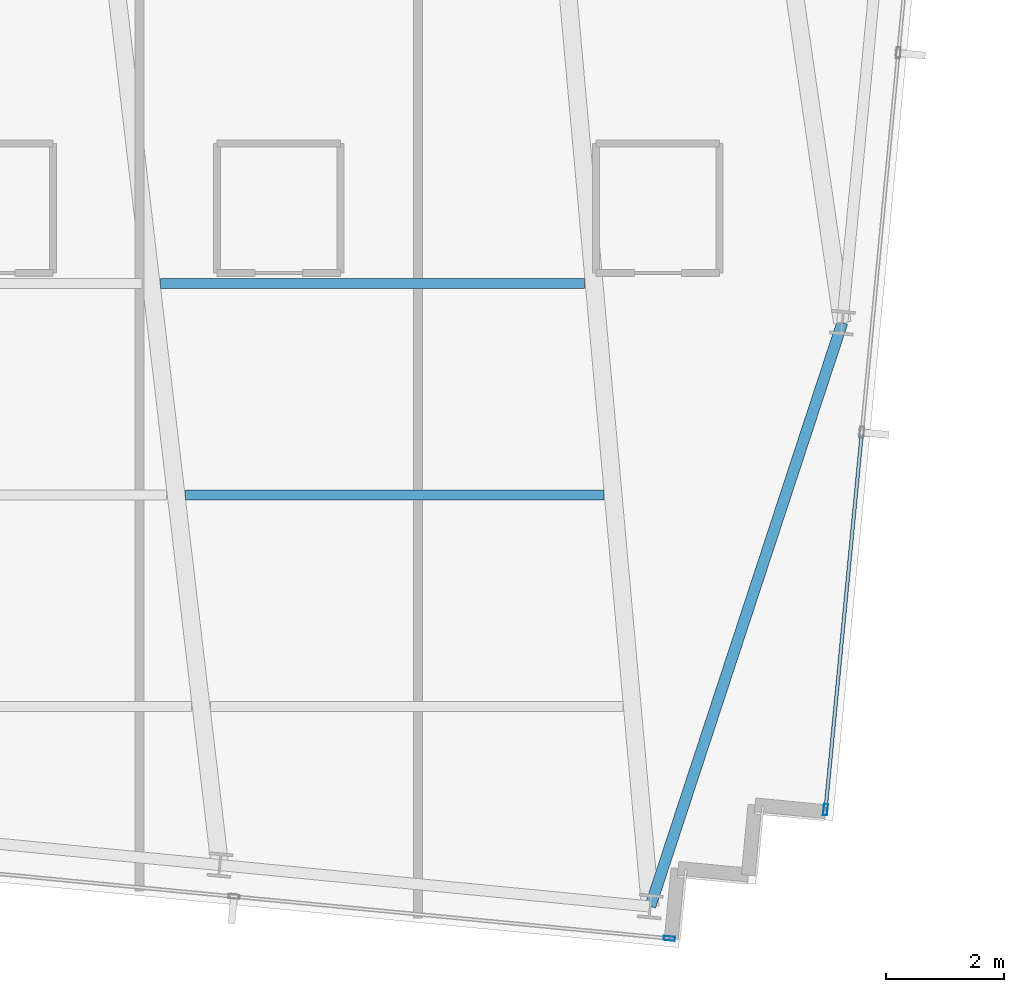
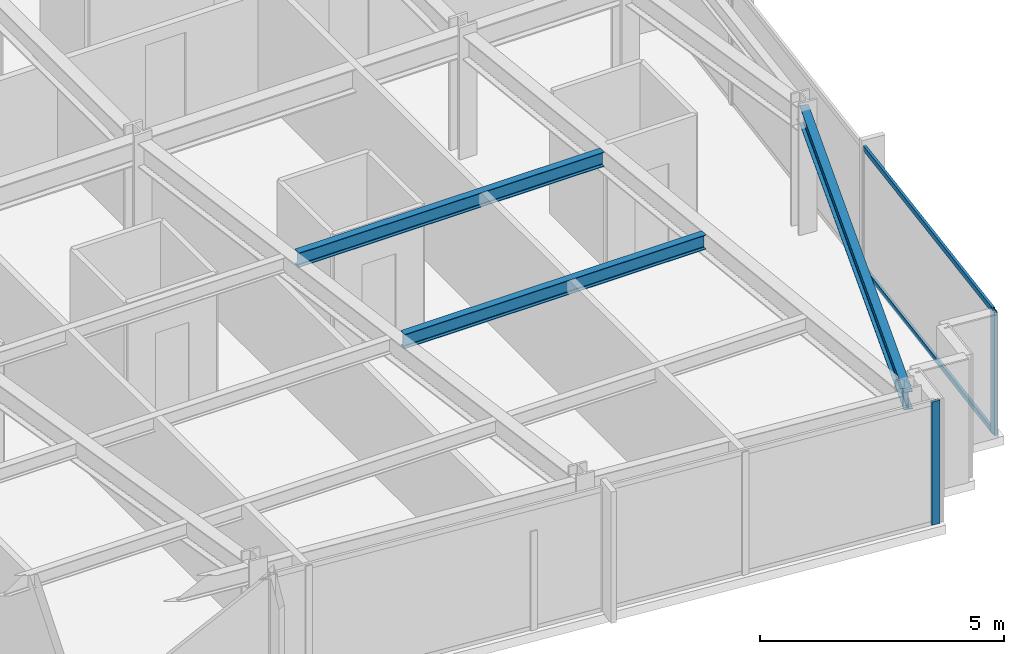
# One storey, part 14 of 38: 4 members, 3 beams, 2 elements without a shape of their own.
"""IFC4 building model written with IfcOpenShell, lengths in metres."""

from ifc_helpers import new_model, si_unit, direction, frame, origin, origin_2d, place, context, subcontext, project, spatial, hollow_rectangle, i_section, extrude, material, material_profile, profile_set, type_object, element, aggregate, save


model = new_model("IFC4")

# Units and contexts
model_context = context("Model", 3, precision=1e-05, world=origin(), true_north=direction((0.0, 1.0)))
body_context = subcontext(model_context, "Body", "Model", "MODEL_VIEW")
ifc_project = project(units=[si_unit("LENGTHUNIT", "METRE"), si_unit("AREAUNIT", "SQUARE_METRE"), si_unit("VOLUMEUNIT", "CUBIC_METRE"), si_unit("PLANEANGLEUNIT", "RADIAN"), si_unit("MASSUNIT", "GRAM", prefix="KILO")], contexts=[model_context])

# Site, building, storey
site_placement = place(None, origin())
site = spatial("IfcSite", under=ifc_project, at=site_placement, CompositionType="ELEMENT")
building_placement = place(site_placement, origin())
building = spatial("IfcBuilding", under=site, at=building_placement, Name="Yelkora Congress Tower", CompositionType="ELEMENT")
storey_placement = place(building_placement, frame((0.0, 0.0, 178.699951171875)))
storey = spatial("IfcBuildingStorey", under=building, at=storey_placement, Name="L49", CompositionType="ELEMENT", Elevation=178.699951171875)

# Beams
ifc_material_1 = material(Name="Steel S355J2", Category="steel")
ifc_material_profile_1 = material_profile(ifc_material_1, i_section(OverallWidth=0.169921875, OverallDepth=0.360107421875, WebThickness=0.008056640625, FlangeThickness=0.0126953125, FilletRadius=0.01806640625, at=origin_2d()), Name="IPE 360")
ifc_profile_set_1 = profile_set([ifc_material_profile_1], Name="Steel S355J2")
beam_type_1 = type_object("IfcBeamType", Name="BM-JOIST-IPE360", PredefinedType="JOIST", material=ifc_profile_set_1)
beam_1_placement = place(storey_placement, frame((47.27587890625, 16.421142578125, 2.900146484375), z_axis=(1.0, 0.0, 0.0), x_axis=(0.0, 1.0, 0.0)))
element("IfcBeam", 1, at=beam_1_placement, inside=storey, type_object=beam_type_1, Name="L49 Composite Floor Joist 11", PredefinedType="JOIST", context=body_context, shape_type="SweptSolid", body=[
    extrude(i_section(OverallWidth=0.169921875, OverallDepth=0.360107421875, WebThickness=0.008056640625, FlangeThickness=0.0126953125, FilletRadius=0.01806640625, at=origin_2d()), origin(), (0.0, 0.0, 1.0), 7.115234375),
])
beam_2_placement = place(storey_placement, frame((46.851318359375, 20.021240234375, 2.900146484375), z_axis=(1.0, 0.0, 0.0), x_axis=(0.0, 1.0, 0.0)))
element("IfcBeam", 2, at=beam_2_placement, inside=storey, type_object=beam_type_1, Name="L49 Composite Floor Joist 18", PredefinedType="JOIST", context=body_context, shape_type="SweptSolid", body=[
    extrude(i_section(OverallWidth=0.169921875, OverallDepth=0.360107421875, WebThickness=0.008056640625, FlangeThickness=0.0126953125, FilletRadius=0.01806640625, at=origin_2d()), origin(), (0.0, 0.0, 1.0), 7.215576171875),
])
ifc_material_profile_2 = material_profile(ifc_material_1, i_section(OverallWidth=0.18994140625, OverallDepth=0.449951171875, WebThickness=0.009521484375, FlangeThickness=0.0146484375, FilletRadius=0.02099609375, at=origin_2d()), Name="IPE 450")
ifc_profile_set_2 = profile_set([ifc_material_profile_2], Name="Steel S355J2")
beam_type_2 = type_object("IfcBeamType", Name="BM-SPAN-IPE450", PredefinedType="SPANDREL", material=ifc_profile_set_2)
beam_3_placement = place(storey_placement, frame((55.18212890625, 9.421142578125, 2.85498046875), z_axis=(0.312456737339, 0.949931990877, 0.0), x_axis=(-0.949931990877, 0.312456737339, 0.0)))
element("IfcBeam", 3, at=beam_3_placement, inside=storey, type_object=beam_type_2, Name="L49 Perimeter Beam 9", PredefinedType="SPANDREL", context=body_context, shape_type="SweptSolid", body=[
    extrude(i_section(OverallWidth=0.18994140625, OverallDepth=0.449951171875, WebThickness=0.009521484375, FlangeThickness=0.0146484375, FilletRadius=0.02099609375, at=origin_2d()), origin(), (0.0, 0.0, 1.0), 10.4560546875),
])

# Curtain wall, member
ifc_material_2 = material(Name="Anodised aluminium and insulated glass", Category="aluminium")
curtain_wall_type = type_object("IfcCurtainWallType", Name="CW-SYS-B3", PredefinedType="NOTDEFINED", material=ifc_material_2)
curtain_wall_1_placement = place(storey_placement, origin())
curtain_wall_1 = element("IfcCurtainWall", 4, at=curtain_wall_1_placement, inside=storey, type_object=curtain_wall_type, Name="L49 Unitised Curtain Wall 15", PredefinedType="NOTDEFINED")
ifc_material_3 = material(Name="Anodised aluminium 6063-T6", Category="aluminium")
ifc_material_profile_3 = material_profile(ifc_material_3, hollow_rectangle(XDim=0.070068359375, YDim=0.18994140625, WallThickness=0.00390625, at=origin_2d()), Name="ALU 70x190x4")
ifc_profile_set_3 = profile_set([ifc_material_profile_3], Name="Anodised aluminium 6063-T6")
member_type_1 = type_object("IfcMemberType", Name="MEM-ML-B3", PredefinedType="MULLION", material=ifc_profile_set_3)
member_1_placement = place(storey_placement, frame((58.163818359375, 11.068115234375, 0.0), z_axis=(0.0, 0.0, 1.0), x_axis=(0.995396565076, -0.095841944023, 0.0)))
member_1 = element("IfcMember", 5, at=member_1_placement, type_object=member_type_1, Name="CW-B3 mullion 6", PredefinedType="MULLION", context=body_context, shape_type="SweptSolid", body=[
    extrude(hollow_rectangle(XDim=0.070068359375, YDim=0.18994140625, WallThickness=0.00390625, at=origin_2d()), origin(), (0.0, 0.0, 1.0), 3.080078125),
])

curtain_wall_2_placement = place(storey_placement, origin())
curtain_wall_2 = element("IfcCurtainWall", 6, at=curtain_wall_2_placement, inside=storey, type_object=curtain_wall_type, Name="L49 Unitised Curtain Wall 20", PredefinedType="NOTDEFINED")
member_2_placement = place(storey_placement, frame((55.506591796875, 8.877685546875, 0.0), z_axis=(0.0, 0.0, 1.0), x_axis=(-0.095844680679, -0.995396301573, 0.0)))
member_2 = element("IfcMember", 7, at=member_2_placement, type_object=member_type_1, Name="CW-B3 mullion 1", PredefinedType="MULLION", context=body_context, shape_type="SweptSolid", body=[
    extrude(hollow_rectangle(XDim=0.070068359375, YDim=0.18994140625, WallThickness=0.00390625, at=origin_2d()), origin(), (0.0, 0.0, 1.0), 3.080078125),
])
aggregate(curtain_wall_2, [member_2])

# Member
ifc_material_profile_4 = material_profile(ifc_material_3, hollow_rectangle(XDim=0.06005859375, YDim=0.1298828125, WallThickness=0.00390625, at=origin_2d()), Name="ALU 60x130x4")
ifc_profile_set_4 = profile_set([ifc_material_profile_4], Name="Anodised aluminium 6063-T6")
member_type_2 = type_object("IfcMemberType", Name="MEM-TR-B3", PredefinedType="USERDEFINED", material=ifc_profile_set_4)
member_3_placement = place(storey_placement, frame((58.778564453125, 17.45263671875, 0.030029296875), z_axis=(-0.095869192297, -0.995393941095, 0.0), x_axis=(0.995393941095, -0.095869192297, 0.0)))
member_3 = element("IfcMember", 8, at=member_3_placement, type_object=member_type_2, Name="CW-B3 transom 5.1", ObjectType="TRANSOM", PredefinedType="USERDEFINED", context=body_context, shape_type="SweptSolid", body=[
    extrude(hollow_rectangle(XDim=0.06005859375, YDim=0.1298828125, WallThickness=0.00390625, at=origin_2d()), origin(), (0.0, 0.0, 1.0), 6.379150390625),
])

member_4_placement = place(storey_placement, frame((58.778564453125, 17.45263671875, 3.050048828125), z_axis=(-0.095869192297, -0.995393941095, 0.0), x_axis=(0.995393941095, -0.095869192297, 0.0)))
member_4 = element("IfcMember", 9, at=member_4_placement, type_object=member_type_2, Name="CW-B3 transom 5.2", ObjectType="TRANSOM", PredefinedType="USERDEFINED", context=body_context, shape_type="SweptSolid", body=[
    extrude(hollow_rectangle(XDim=0.06005859375, YDim=0.1298828125, WallThickness=0.00390625, at=origin_2d()), origin(), (0.0, 0.0, 1.0), 6.379150390625),
])

aggregate(curtain_wall_1, [member_1, member_3, member_4])

save(model, "model.ifc")
